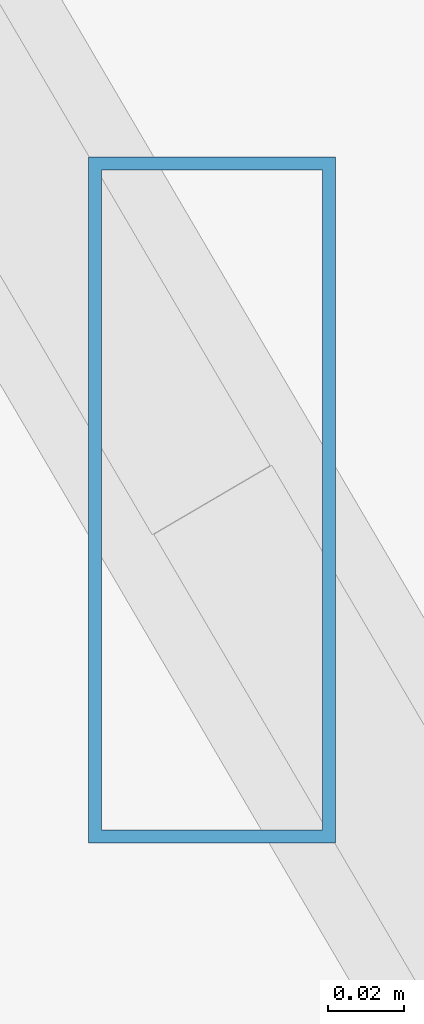
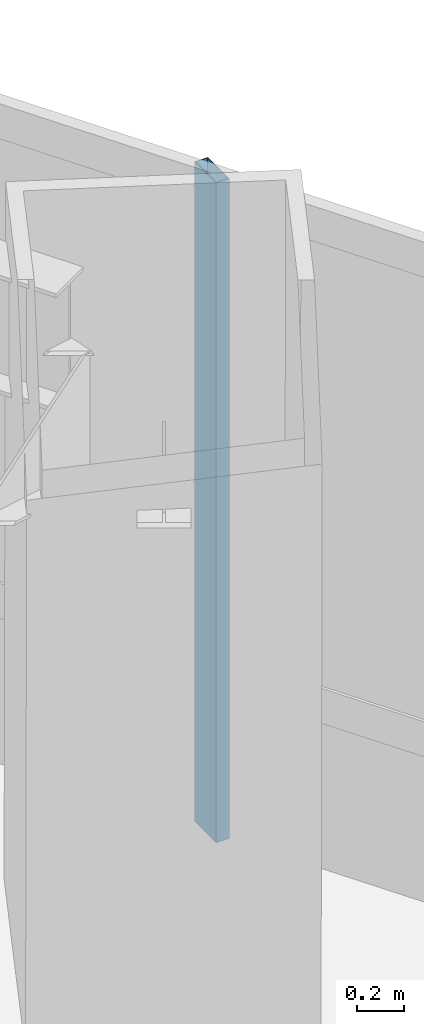
# One storey, part 21 of 33: 1 member, 1 element without a shape of its own.
"""IFC4 building model written with IfcOpenShell, lengths in metres."""

import ifcopenshell
import ifcopenshell.guid

model = None  # the IFC model being written
_history = None  # IfcOwnerHistory: only IFC2X3 demands one
_inside = {}  # id of a spatial element -> (the spatial element, [elements in it])
_under = {}  # id of a project, library or spatial element -> (it, [spatial elements below it])
_declared = {}  # id of a project -> (the project, [libraries it declares])
_typed = {}  # id of a type object -> (the type object, [elements of that type])
_made_of = {}  # id of a material, layer set ... -> (it, [elements and type objects made of it])


def new_model(schema):
    """Start an empty IFC model of exactly this schema.

    Asked for "IFC4X3", IfcOpenShell would pick the latest addendum, in which some entities
    have other attributes; the version numbers below select the first issue.
    IFC2X3 requires an IfcOwnerHistory on every rooted entity: one is made here for all.
    """
    global model, _history
    if schema == "IFC4X3":
        model = ifcopenshell.file(schema_version=(4, 3, 0, 0))
    else:
        model = ifcopenshell.file(schema=schema)
    _inside.clear()
    _under.clear()
    _declared.clear()
    _typed.clear()
    _made_of.clear()
    _history = None
    if model.schema == "IFC2X3":
        org = make("IfcOrganization", Name="unknown")
        user = make(
            "IfcPersonAndOrganization",
            ThePerson=make("IfcPerson", FamilyName="unknown"),
            TheOrganization=org,
        )
        app = make(
            "IfcApplication",
            ApplicationDeveloper=org,
            Version="unknown",
            ApplicationFullName="unknown",
            ApplicationIdentifier="unknown",
        )
        _history = make(
            "IfcOwnerHistory",
            OwningUser=user,
            OwningApplication=app,
            ChangeAction="ADDED",
            CreationDate=0,
        )
    return model


def make(cls, **values):
    """One entity of the class cls with the attributes given. An attribute that is None is left unset."""
    return model.create_entity(
        cls, **{name: value for name, value in values.items() if value is not None}
    )


def rooted(cls, **values):
    """An entity with a GlobalId (a new one), such as an element, a storey or a relation."""
    return make(cls, GlobalId=ifcopenshell.guid.new(), OwnerHistory=_history, **values)


def si_unit(unit_type, name, prefix=None):
    """IfcSIUnit, for example si_unit("LENGTHUNIT", "METRE", prefix="MILLI")."""
    return make("IfcSIUnit", UnitType=unit_type, Prefix=prefix, Name=name)


def assignment(units):
    """IfcUnitAssignment: the units of a project."""
    return None if units is None else make("IfcUnitAssignment", Units=units)


def point(xyz):
    """IfcCartesianPoint."""
    return None if xyz is None else make("IfcCartesianPoint", Coordinates=xyz)


def direction(xyz):
    """IfcDirection."""
    return None if xyz is None else make("IfcDirection", DirectionRatios=xyz)


def frame(location, z_axis=None, x_axis=None):
    """IfcAxis2Placement3D, a coordinate frame: its origin and axes. An axis left out is left unset."""
    return make(
        "IfcAxis2Placement3D",
        Location=point(location),
        Axis=direction(z_axis),
        RefDirection=direction(x_axis),
    )


def frame_2d(location, x_axis=None):
    """IfcAxis2Placement2D, a coordinate frame in the plane: its origin and x axis."""
    return make(
        "IfcAxis2Placement2D", Location=point(location), RefDirection=direction(x_axis)
    )


def origin():
    """The frame at (0, 0, 0) with its axes left unset."""
    return frame((0.0, 0.0, 0.0))


def origin_2d():
    """The frame at (0, 0) in the plane with its x axis left unset."""
    return frame_2d((0.0, 0.0))


def place(relative_to, where):
    """IfcLocalPlacement: puts the frame where relative to a parent placement (None: the world)."""
    return make(
        "IfcLocalPlacement", PlacementRelTo=relative_to, RelativePlacement=where
    )


def context(
    kind, dimensions, precision=None, world=None, true_north=None, identifier=None
):
    """IfcGeometricRepresentationContext, for example the 3D "Model" context."""
    return make(
        "IfcGeometricRepresentationContext",
        ContextIdentifier=identifier,
        ContextType=kind,
        CoordinateSpaceDimension=dimensions,
        Precision=precision,
        WorldCoordinateSystem=world,
        TrueNorth=true_north,
    )


def subcontext(parent, identifier, kind, view, scale=None):
    """IfcGeometricRepresentationSubContext, for example "Body" below "Model"."""
    return make(
        "IfcGeometricRepresentationSubContext",
        ContextIdentifier=identifier,
        ContextType=kind,
        ParentContext=parent,
        TargetScale=scale,
        TargetView=view,
    )


def project(units=None, contexts=None):
    """IfcProject with its units and contexts."""
    return rooted(
        "IfcProject",
        Name="project",
        RepresentationContexts=contexts,
        UnitsInContext=assignment(units),
    )


def spatial(cls, under=None, at=None, **own):
    """A site, building, storey or space (cls), placed at a placement, below another one or the project."""
    s = rooted(cls, ObjectPlacement=at, **own)
    if under is not None:
        _under.setdefault(under.id(), (under, []))[1].append(s)
    return s


def profile(cls, at=None, kind="AREA", **sizes):
    """A parametric profile (cls). Its sizes go by their IFC names, for example OverallWidth=200.0."""
    return make(cls, ProfileType=kind, Position=at, **sizes)


def hollow_rectangle(**sizes):
    """IfcRectangleHollowProfileDef."""
    return profile("IfcRectangleHollowProfileDef", **sizes)


def extrude(swept, where, along, depth):
    """IfcExtrudedAreaSolid: the profile swept, set in the frame where, extruded along a direction by depth."""
    return make(
        "IfcExtrudedAreaSolid",
        SweptArea=swept,
        Position=where,
        ExtrudedDirection=direction(along),
        Depth=depth,
    )


def shape(context_of_items, identifier, shape_type, items):
    """IfcShapeRepresentation: the items that make up one representation, for example the "Body"."""
    return make(
        "IfcShapeRepresentation",
        ContextOfItems=context_of_items,
        RepresentationIdentifier=identifier,
        RepresentationType=shape_type,
        Items=items,
    )


def source(mapping_origin, context_of_items, identifier, shape_type, items):
    """IfcRepresentationMap: a shape defined once, which mapped items show again and again."""
    return make(
        "IfcRepresentationMap",
        MappingOrigin=mapping_origin,
        MappedRepresentation=shape(context_of_items, identifier, shape_type, items),
    )


def transform(
    local_origin,
    x_axis=None,
    y_axis=None,
    z_axis=None,
    scale=None,
    scale2=None,
    scale3=None,
    uniform=True,
):
    """IfcCartesianTransformationOperator3D, or its non-uniform kind. x_axis, y_axis, z_axis: its Axis1, 2, 3."""
    if uniform:
        return make(
            "IfcCartesianTransformationOperator3D",
            Axis1=direction(x_axis),
            Axis2=direction(y_axis),
            LocalOrigin=point(local_origin),
            Scale=scale,
            Axis3=direction(z_axis),
        )
    return make(
        "IfcCartesianTransformationOperator3DnonUniform",
        Axis1=direction(x_axis),
        Axis2=direction(y_axis),
        LocalOrigin=point(local_origin),
        Scale=scale,
        Axis3=direction(z_axis),
        Scale2=scale2,
        Scale3=scale3,
    )


def mapped(mapping_source, mapping_target):
    """IfcMappedItem: shows the shape of a source again, moved by a transform."""
    return make(
        "IfcMappedItem", MappingSource=mapping_source, MappingTarget=mapping_target
    )


def material(Name=None, Category=None):
    """IfcMaterial."""
    return make("IfcMaterial", Name=Name, Category=Category)


def material_profile(
    of_material, cross_section, Name=None, Category=None, Priority=None
):
    """IfcMaterialProfile: a cross section and its material."""
    return make(
        "IfcMaterialProfile",
        Name=Name,
        Material=of_material,
        Profile=cross_section,
        Priority=Priority,
        Category=Category,
    )


def profile_set(profiles, Name=None, composite=None):
    """IfcMaterialProfileSet."""
    return make(
        "IfcMaterialProfileSet",
        Name=Name,
        MaterialProfiles=profiles,
        CompositeProfile=composite,
    )


def made_of(thing, what):
    """Note that an element or type object is made of a material, layer set ...; save() writes the relation."""
    if what is not None:
        _made_of.setdefault(what.id(), (what, []))[1].append(thing)
    return thing


def type_object(cls, material=None, **own):
    """A type object (cls), such as IfcWallType, which elements share."""
    return made_of(rooted(cls, **own), material)


def type_shapes(of_type, sources):
    """Give a type object the sources (RepresentationMaps) that its elements show as mapped items."""
    of_type.RepresentationMaps = sources


def element(
    cls,
    number,
    at=None,
    inside=None,
    cuts=None,
    type_object=None,
    material=None,
    context=None,
    identifier="Body",
    shape_type=None,
    held_by="IfcProductDefinitionShape",
    body=None,
    shapes=None,
    **own,
):
    """One element of the class cls, such as IfcWall. Its Tag is "e" and its number.

    at: its placement. inside: the storey or other place that contains it. cuts: it is an
    opening in that element (IfcRelVoidsElement). A single representation is given by context,
    identifier, shape_type and body (its items); several are given by shapes. held_by: the class
    of the entity that holds the representations. save() writes the other relations.
    """
    e = rooted(cls, Tag="e%d" % number, ObjectPlacement=at, **own)
    if body is not None:
        shapes = [shape(context, identifier, shape_type, body)]
    if shapes is not None:
        e.Representation = make(held_by, Representations=shapes)
    if inside is not None:
        _inside.setdefault(inside.id(), (inside, []))[1].append(e)
    if cuts is not None:
        rooted(
            "IfcRelVoidsElement", RelatingBuildingElement=cuts, RelatedOpeningElement=e
        )
    if type_object is not None:
        _typed.setdefault(type_object.id(), (type_object, []))[1].append(e)
    return made_of(e, material)


def aggregate(whole, parts):
    """IfcRelAggregates: a whole, such as a stair, and the parts it consists of."""
    return rooted("IfcRelAggregates", RelatingObject=whole, RelatedObjects=parts)


def save(model, path):
    """Write the relations noted so far, then the file.

    IfcRelAggregates (storeys below a building ...), IfcRelContainedInSpatialStructure (elements
    in a storey), IfcRelDefinesByType, IfcRelAssociatesMaterial and IfcRelDeclares: one each for
    every whole, place, type object, material and project.
    """
    for whole, parts in _under.values():
        aggregate(whole, parts)
    for where, things in _inside.values():
        rooted(
            "IfcRelContainedInSpatialStructure",
            RelatedElements=things,
            RelatingStructure=where,
        )
    for kind, things in _typed.values():
        rooted("IfcRelDefinesByType", RelatedObjects=things, RelatingType=kind)
    for what, things in _made_of.values():
        rooted("IfcRelAssociatesMaterial", RelatedObjects=things, RelatingMaterial=what)
    for by, libraries in _declared.values():
        rooted("IfcRelDeclares", RelatingContext=by, RelatedDefinitions=libraries)
    model.write(path)


model = new_model("IFC4")

# Units and contexts
model_context = context("Model", 3, precision=1e-05, world=origin(), true_north=direction((0.0, 1.0)))
body_context = subcontext(model_context, "Body", "Model", "MODEL_VIEW")
ifc_project = project(units=[si_unit("LENGTHUNIT", "METRE"), si_unit("AREAUNIT", "SQUARE_METRE"), si_unit("VOLUMEUNIT", "CUBIC_METRE"), si_unit("PLANEANGLEUNIT", "RADIAN"), si_unit("MASSUNIT", "GRAM", prefix="KILO")], contexts=[model_context])

# Site, building, storey
site_placement = place(None, origin())
site = spatial("IfcSite", under=ifc_project, at=site_placement, CompositionType="ELEMENT")
building_placement = place(site_placement, origin())
building = spatial("IfcBuilding", under=site, at=building_placement, Name="Caelisora Broadcast Tower", CompositionType="ELEMENT")
storey_placement = place(building_placement, frame((0.0, 0.0, 34.89990234375)))
storey = spatial("IfcBuildingStorey", under=building, at=storey_placement, Name="L08", CompositionType="ELEMENT", Elevation=34.89990234375)

# Curtain wall, member
ifc_material_1 = material(Name="Unitised Aluminium and Low-E Glass Curtain Wall", Category="glass")
curtain_wall_type = type_object("IfcCurtainWallType", Name="CW-Z1", PredefinedType="NOTDEFINED", material=ifc_material_1)
curtain_wall_placement = place(storey_placement, origin())
curtain_wall = element("IfcCurtainWall", 1, at=curtain_wall_placement, inside=storey, type_object=curtain_wall_type, Name="L08 curtain wall CW-Z1", PredefinedType="NOTDEFINED")
ifc_material_2 = material(Name="Aluminium 6063-T6 Anodised Terracotta Bronze", Category="aluminium")
ifc_material_profile = material_profile(ifc_material_2, hollow_rectangle(XDim=0.06494140625, YDim=0.179931640625, WallThickness=0.00341796875, at=origin_2d()), Name="Aluminium 6063-T6 Anodised Terracotta Bronze")
ifc_profile_set = profile_set([ifc_material_profile], Name="Aluminium 6063-T6 Anodised Terracotta Bronze")
member_type = type_object("IfcMemberType", Name="CWM-02", PredefinedType="MULLION", material=ifc_profile_set)
shared_shape = source(origin(), body_context, "Body", "SweptSolid", [
    extrude(hollow_rectangle(XDim=0.06494140625, YDim=0.179931640625, WallThickness=0.00341796875, at=origin_2d()), origin(), (0.0, 0.0, 1.0), 3.400146484375),
])
type_shapes(member_type, [shared_shape])
member_placement = place(storey_placement, frame((62.526611328125, 21.493896484375, 0.0), z_axis=(0.0, 0.0, 1.0), x_axis=(1.0, 0.0, 0.0)))
member = element("IfcMember", 2, at=member_placement, type_object=member_type, Name="L08-CW-B03 mullion #2", PredefinedType="MULLION", context=body_context, shape_type="MappedRepresentation", body=[
    mapped(shared_shape, transform((0.0, 0.0, 0.0), scale=1.0)),
])
aggregate(curtain_wall, [member])

save(model, "model.ifc")
